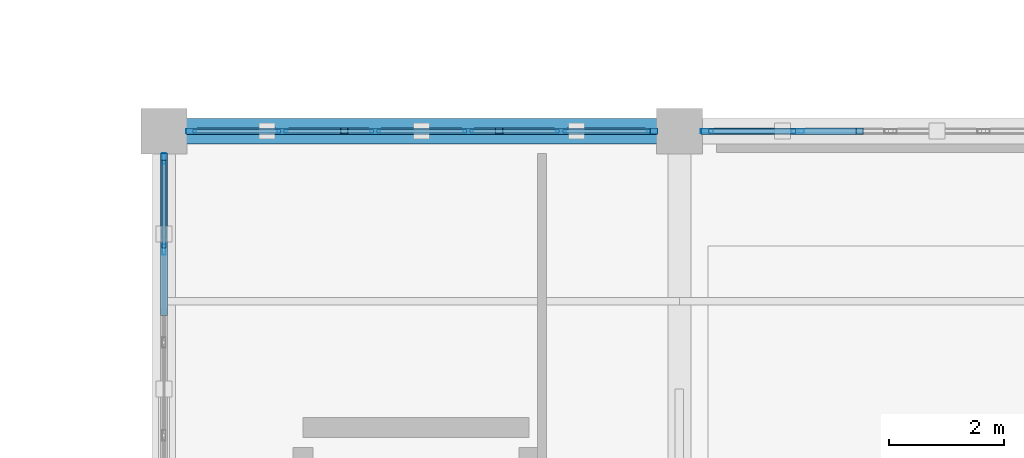
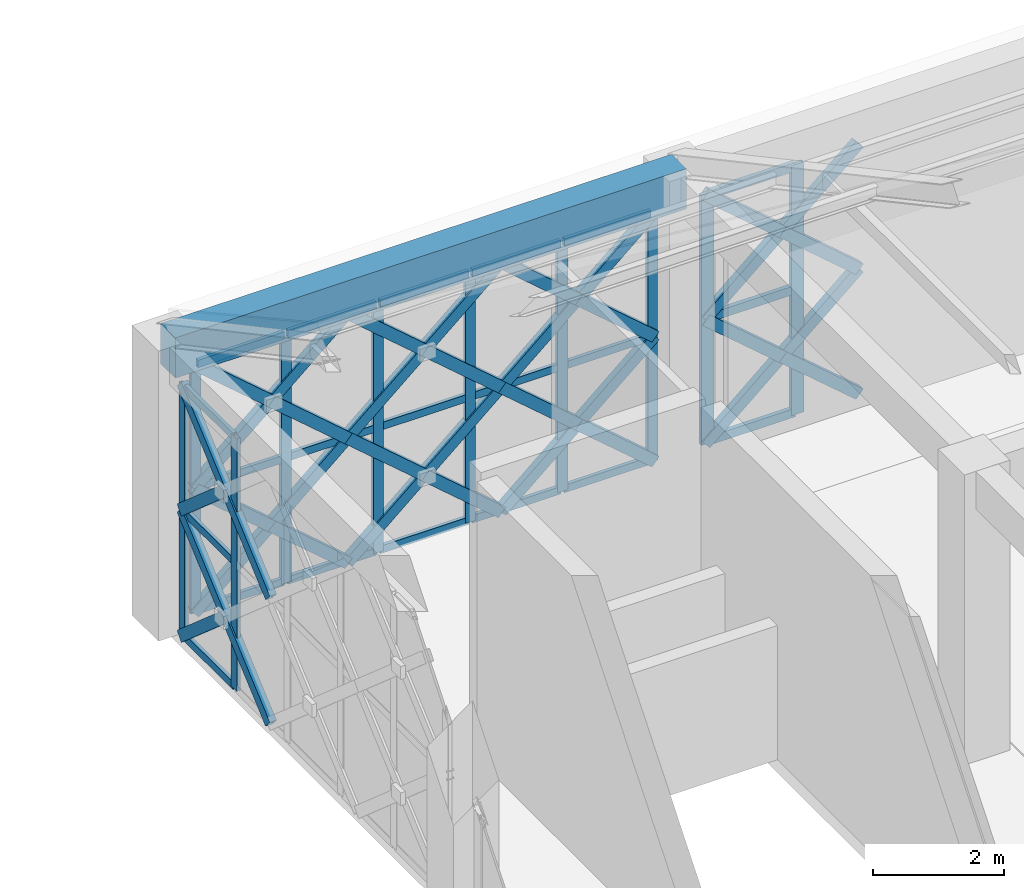
# One storey, part 28 of 86: 59 members, 1 beam, 3 elements without a shape of their own.
"""IFC4 building model written with IfcOpenShell, lengths in metres."""

from ifc_helpers import new_model, si_unit, direction, frame, origin, origin_2d, place, context, subcontext, project, spatial, rectangle, hollow_rectangle, extrude, material, material_profile, profile_set, type_object, element, aggregate, save


model = new_model("IFC4")

# Units and contexts
model_context = context("Model", 3, precision=1e-05, world=origin(), true_north=direction((0.0, 1.0)))
body_context = subcontext(model_context, "Body", "Model", "MODEL_VIEW")
ifc_project = project(units=[si_unit("LENGTHUNIT", "METRE"), si_unit("AREAUNIT", "SQUARE_METRE"), si_unit("VOLUMEUNIT", "CUBIC_METRE"), si_unit("PLANEANGLEUNIT", "RADIAN"), si_unit("MASSUNIT", "GRAM", prefix="KILO")], contexts=[model_context])

# Site, building, storey
site_placement = place(None, origin())
site = spatial("IfcSite", under=ifc_project, at=site_placement, CompositionType="ELEMENT")
building_placement = place(site_placement, origin())
building = spatial("IfcBuilding", under=site, at=building_placement, Name="Haizhuo Lancet Aquarium", CompositionType="ELEMENT")
storey_placement = place(building_placement, frame((0.0, 0.0, 16.199951171875)))
storey = spatial("IfcBuildingStorey", under=building, at=storey_placement, Name="L03", CompositionType="ELEMENT", Elevation=16.199951171875)

# Beam
ifc_material_1 = material(Name="Concrete C40/50", Category="concrete")
ifc_material_profile_1 = material_profile(ifc_material_1, rectangle(XDim=0.449951171875, YDim=0.75, at=origin_2d()), Name="RC-BM 450x750")
ifc_profile_set_1 = profile_set([ifc_material_profile_1], Name="Concrete C40/50")
beam_type = type_object("IfcBeamType", Name="BM-RC-450x750", PredefinedType="BEAM", material=ifc_profile_set_1)
beam_placement = place(storey_placement, frame((27.0, -9.0, 5.025146484375), z_axis=(1.0, 0.0, 0.0), x_axis=(0.0, 1.0, 0.0)))
element("IfcBeam", 1, at=beam_placement, inside=storey, type_object=beam_type, Name="L03 V3 primary girder BM-L03-V3-006", PredefinedType="BEAM", context=body_context, shape_type="SweptSolid", body=[
    extrude(rectangle(XDim=0.449951171875, YDim=0.75, at=origin_2d()), origin(), (0.0, 0.0, 1.0), 9.0),
])

# Curtain wall, members
ifc_material_2 = material(Name="Aluminium 6063-T6", Category="aluminium")
curtain_wall_type_1 = type_object("IfcCurtainWallType", Name="CWO-8110x4650", PredefinedType="NOTDEFINED", material=ifc_material_2)
curtain_wall_1_placement = place(storey_placement, origin())
curtain_wall_1 = element("IfcCurtainWall", 2, at=curtain_wall_1_placement, inside=storey, type_object=curtain_wall_type_1, Name="L03 curtain wall CW-V3-L03-067", PredefinedType="NOTDEFINED")
ifc_material_profile_2 = material_profile(ifc_material_2, hollow_rectangle(XDim=0.06494140625, YDim=0.179931640625, WallThickness=0.00390625, at=origin_2d()), Name="ALU-M 65x180x4")
ifc_profile_set_2 = profile_set([ifc_material_profile_2], Name="Aluminium 6063-T6")
member_type_1 = type_object("IfcMemberType", Name="CW-MUL-1", PredefinedType="MULLION", material=ifc_profile_set_2)
member_1_placement = place(storey_placement, frame((27.47705078125, -9.0, 0.0), z_axis=(0.0, 0.0, 1.0), x_axis=(0.0, 1.0, 0.0)))
member_1 = element("IfcMember", 3, at=member_1_placement, type_object=member_type_1, Name="CWO-81x46 mullion 1", PredefinedType="MULLION", context=body_context, shape_type="SweptSolid", body=[
    extrude(hollow_rectangle(XDim=0.06494140625, YDim=0.179931640625, WallThickness=0.00390625, at=origin_2d()), origin(), (0.0, 0.0, 1.0), 4.650146484375),
])
member_2_placement = place(storey_placement, frame((29.06689453125, -9.0, 0.0), z_axis=(0.0, 0.0, 1.0), x_axis=(0.0, 1.0, 0.0)))
member_2 = element("IfcMember", 4, at=member_2_placement, type_object=member_type_1, Name="CWO-81x46 mullion 2", PredefinedType="MULLION", context=body_context, shape_type="SweptSolid", body=[
    extrude(hollow_rectangle(XDim=0.06494140625, YDim=0.179931640625, WallThickness=0.00390625, at=origin_2d()), origin(), (0.0, 0.0, 1.0), 4.650146484375),
])
member_3_placement = place(storey_placement, frame((30.68896484375, -9.0, 0.0), z_axis=(0.0, 0.0, 1.0), x_axis=(0.0, 1.0, 0.0)))
member_3 = element("IfcMember", 5, at=member_3_placement, type_object=member_type_1, Name="CWO-81x46 mullion 3", PredefinedType="MULLION", context=body_context, shape_type="SweptSolid", body=[
    extrude(hollow_rectangle(XDim=0.06494140625, YDim=0.179931640625, WallThickness=0.00390625, at=origin_2d()), origin(), (0.0, 0.0, 1.0), 4.650146484375),
])
member_4_placement = place(storey_placement, frame((32.31103515625, -9.0, 0.0), z_axis=(0.0, 0.0, 1.0), x_axis=(0.0, 1.0, 0.0)))
member_4 = element("IfcMember", 6, at=member_4_placement, type_object=member_type_1, Name="CWO-81x46 mullion 4", PredefinedType="MULLION", context=body_context, shape_type="SweptSolid", body=[
    extrude(hollow_rectangle(XDim=0.06494140625, YDim=0.179931640625, WallThickness=0.00390625, at=origin_2d()), origin(), (0.0, 0.0, 1.0), 4.650146484375),
])
member_5_placement = place(storey_placement, frame((33.93310546875, -9.0, 0.0), z_axis=(0.0, 0.0, 1.0), x_axis=(0.0, 1.0, 0.0)))
member_5 = element("IfcMember", 7, at=member_5_placement, type_object=member_type_1, Name="CWO-81x46 mullion 5", PredefinedType="MULLION", context=body_context, shape_type="SweptSolid", body=[
    extrude(hollow_rectangle(XDim=0.06494140625, YDim=0.179931640625, WallThickness=0.00390625, at=origin_2d()), origin(), (0.0, 0.0, 1.0), 4.650146484375),
])
member_6_placement = place(storey_placement, frame((35.52294921875, -9.0, 0.0), z_axis=(0.0, 0.0, 1.0), x_axis=(0.0, 1.0, 0.0)))
member_6 = element("IfcMember", 8, at=member_6_placement, type_object=member_type_1, Name="CWO-81x46 mullion 6", PredefinedType="MULLION", context=body_context, shape_type="SweptSolid", body=[
    extrude(hollow_rectangle(XDim=0.06494140625, YDim=0.179931640625, WallThickness=0.00390625, at=origin_2d()), origin(), (0.0, 0.0, 1.0), 4.650146484375),
])

curtain_wall_type_2 = type_object("IfcCurtainWallType", Name="CWO-8110x4700", PredefinedType="NOTDEFINED", material=ifc_material_2)
curtain_wall_2_placement = place(storey_placement, origin())
curtain_wall_2 = element("IfcCurtainWall", 9, at=curtain_wall_2_placement, inside=storey, type_object=curtain_wall_type_2, Name="L03 curtain wall CW-V3-L03-082", PredefinedType="NOTDEFINED")
member_7_placement = place(storey_placement, frame((27.0, -11.06689453125, 0.0), z_axis=(0.0, 0.0, 1.0), x_axis=(-1.0, 0.0, 0.0)))
member_7 = element("IfcMember", 10, at=member_7_placement, type_object=member_type_1, Name="CWO-81x47 mullion 5", PredefinedType="MULLION", context=body_context, shape_type="SweptSolid", body=[
    extrude(hollow_rectangle(XDim=0.06494140625, YDim=0.179931640625, WallThickness=0.00390625, at=origin_2d()), origin(), (0.0, 0.0, 1.0), 4.699951171875),
])
member_8_placement = place(storey_placement, frame((27.0, -9.47802734375, 0.0), z_axis=(0.0, 0.0, 1.0), x_axis=(-1.0, 0.0, 0.0)))
member_8 = element("IfcMember", 11, at=member_8_placement, type_object=member_type_1, Name="CWO-81x47 mullion 6", PredefinedType="MULLION", context=body_context, shape_type="SweptSolid", body=[
    extrude(hollow_rectangle(XDim=0.06494140625, YDim=0.179931640625, WallThickness=0.00390625, at=origin_2d()), origin(), (0.0, 0.0, 1.0), 4.699951171875),
])

curtain_wall_3_placement = place(storey_placement, origin())
curtain_wall_3 = element("IfcCurtainWall", 12, at=curtain_wall_3_placement, inside=storey, type_object=curtain_wall_type_1, Name="L03 curtain wall CW-V3-L03-068", PredefinedType="NOTDEFINED")
ifc_material_profile_3 = material_profile(ifc_material_2, hollow_rectangle(XDim=0.074951171875, YDim=0.219970703125, WallThickness=0.0048828125, at=origin_2d()), Name="ALU-M 75x220x5")
ifc_profile_set_3 = profile_set([ifc_material_profile_3], Name="Aluminium 6063-T6")
member_type_2 = type_object("IfcMemberType", Name="CW-MUL-2", PredefinedType="MULLION", material=ifc_profile_set_3)
member_9_placement = place(storey_placement, frame((36.48291015625, -9.0, 0.0), z_axis=(0.0, 0.0, 1.0), x_axis=(0.0, 1.0, 0.0)))
member_9 = element("IfcMember", 13, at=member_9_placement, type_object=member_type_2, Name="CWO-81x46 mullion 1", PredefinedType="MULLION", context=body_context, shape_type="SweptSolid", body=[
    extrude(hollow_rectangle(XDim=0.074951171875, YDim=0.219970703125, WallThickness=0.0048828125, at=origin_2d()), origin(), (0.0, 0.0, 1.0), 4.650146484375),
])
member_10_placement = place(storey_placement, frame((38.06689453125, -9.0, 0.0), z_axis=(0.0, 0.0, 1.0), x_axis=(0.0, 1.0, 0.0)))
member_10 = element("IfcMember", 14, at=member_10_placement, type_object=member_type_2, Name="CWO-81x46 mullion 2", PredefinedType="MULLION", context=body_context, shape_type="SweptSolid", body=[
    extrude(hollow_rectangle(XDim=0.074951171875, YDim=0.219970703125, WallThickness=0.0048828125, at=origin_2d()), origin(), (0.0, 0.0, 1.0), 4.650146484375),
])

# Member
ifc_material_profile_4 = material_profile(ifc_material_2, hollow_rectangle(XDim=0.06494140625, YDim=0.139892578125, WallThickness=0.00390625, at=origin_2d()), Name="ALU-T 65x140x4")
ifc_profile_set_4 = profile_set([ifc_material_profile_4], Name="Aluminium 6063-T6")
member_type_3 = type_object("IfcMemberType", Name="CW-TRN-1", PredefinedType="NOTDEFINED", material=ifc_profile_set_4)
member_11_placement = place(storey_placement, frame((27.510009765625, -9.0, 0.031982421875), z_axis=(1.0, 0.0, 0.0), x_axis=(0.0, 1.0, 0.0)))
member_11 = element("IfcMember", 15, at=member_11_placement, type_object=member_type_3, Name="CWO-81x46 transom 1.1", ObjectType="TRANSOM", PredefinedType="USERDEFINED", context=body_context, shape_type="SweptSolid", body=[
    extrude(hollow_rectangle(XDim=0.06494140625, YDim=0.139892578125, WallThickness=0.00390625, at=origin_2d()), origin(), (0.0, 0.0, 1.0), 1.52490234375),
])

member_12_placement = place(storey_placement, frame((27.510009765625, -9.0, 2.324951171875), z_axis=(1.0, 0.0, 0.0), x_axis=(0.0, 1.0, 0.0)))
member_12 = element("IfcMember", 16, at=member_12_placement, type_object=member_type_3, Name="CWO-81x46 transom 1.2", ObjectType="TRANSOM", PredefinedType="USERDEFINED", context=body_context, shape_type="SweptSolid", body=[
    extrude(hollow_rectangle(XDim=0.06494140625, YDim=0.139892578125, WallThickness=0.00390625, at=origin_2d()), origin(), (0.0, 0.0, 1.0), 1.52490234375),
])

member_13_placement = place(storey_placement, frame((27.510009765625, -9.0, 4.6181640625), z_axis=(1.0, 0.0, 0.0), x_axis=(0.0, 1.0, 0.0)))
member_13 = element("IfcMember", 17, at=member_13_placement, type_object=member_type_3, Name="CWO-81x46 transom 1.3", ObjectType="TRANSOM", PredefinedType="USERDEFINED", context=body_context, shape_type="SweptSolid", body=[
    extrude(hollow_rectangle(XDim=0.06494140625, YDim=0.139892578125, WallThickness=0.00390625, at=origin_2d()), origin(), (0.0, 0.0, 1.0), 1.52490234375),
])

member_14_placement = place(storey_placement, frame((29.09912109375, -9.0, 0.031982421875), z_axis=(1.0, 0.0, 0.0), x_axis=(0.0, 1.0, 0.0)))
member_14 = element("IfcMember", 18, at=member_14_placement, type_object=member_type_3, Name="CWO-81x46 transom 2.1", ObjectType="TRANSOM", PredefinedType="USERDEFINED", context=body_context, shape_type="SweptSolid", body=[
    extrude(hollow_rectangle(XDim=0.06494140625, YDim=0.139892578125, WallThickness=0.00390625, at=origin_2d()), origin(), (0.0, 0.0, 1.0), 1.557861328125),
])

member_15_placement = place(storey_placement, frame((29.09912109375, -9.0, 2.324951171875), z_axis=(1.0, 0.0, 0.0), x_axis=(0.0, 1.0, 0.0)))
member_15 = element("IfcMember", 19, at=member_15_placement, type_object=member_type_3, Name="CWO-81x46 transom 2.2", ObjectType="TRANSOM", PredefinedType="USERDEFINED", context=body_context, shape_type="SweptSolid", body=[
    extrude(hollow_rectangle(XDim=0.06494140625, YDim=0.139892578125, WallThickness=0.00390625, at=origin_2d()), origin(), (0.0, 0.0, 1.0), 1.557861328125),
])

member_16_placement = place(storey_placement, frame((29.09912109375, -9.0, 4.6181640625), z_axis=(1.0, 0.0, 0.0), x_axis=(0.0, 1.0, 0.0)))
member_16 = element("IfcMember", 20, at=member_16_placement, type_object=member_type_3, Name="CWO-81x46 transom 2.3", ObjectType="TRANSOM", PredefinedType="USERDEFINED", context=body_context, shape_type="SweptSolid", body=[
    extrude(hollow_rectangle(XDim=0.06494140625, YDim=0.139892578125, WallThickness=0.00390625, at=origin_2d()), origin(), (0.0, 0.0, 1.0), 1.557861328125),
])

member_17_placement = place(storey_placement, frame((30.720947265625, -9.0, 0.031982421875), z_axis=(1.0, 0.0, 0.0), x_axis=(0.0, 1.0, 0.0)))
member_17 = element("IfcMember", 21, at=member_17_placement, type_object=member_type_3, Name="CWO-81x46 transom 3.1", ObjectType="TRANSOM", PredefinedType="USERDEFINED", context=body_context, shape_type="SweptSolid", body=[
    extrude(hollow_rectangle(XDim=0.06494140625, YDim=0.139892578125, WallThickness=0.00390625, at=origin_2d()), origin(), (0.0, 0.0, 1.0), 1.55810546875),
])

member_18_placement = place(storey_placement, frame((30.720947265625, -9.0, 2.324951171875), z_axis=(1.0, 0.0, 0.0), x_axis=(0.0, 1.0, 0.0)))
member_18 = element("IfcMember", 22, at=member_18_placement, type_object=member_type_3, Name="CWO-81x46 transom 3.2", ObjectType="TRANSOM", PredefinedType="USERDEFINED", context=body_context, shape_type="SweptSolid", body=[
    extrude(hollow_rectangle(XDim=0.06494140625, YDim=0.139892578125, WallThickness=0.00390625, at=origin_2d()), origin(), (0.0, 0.0, 1.0), 1.55810546875),
])

member_19_placement = place(storey_placement, frame((30.720947265625, -9.0, 4.6181640625), z_axis=(1.0, 0.0, 0.0), x_axis=(0.0, 1.0, 0.0)))
member_19 = element("IfcMember", 23, at=member_19_placement, type_object=member_type_3, Name="CWO-81x46 transom 3.3", ObjectType="TRANSOM", PredefinedType="USERDEFINED", context=body_context, shape_type="SweptSolid", body=[
    extrude(hollow_rectangle(XDim=0.06494140625, YDim=0.139892578125, WallThickness=0.00390625, at=origin_2d()), origin(), (0.0, 0.0, 1.0), 1.55810546875),
])

member_20_placement = place(storey_placement, frame((32.343017578125, -9.0, 0.031982421875), z_axis=(1.0, 0.0, 0.0), x_axis=(0.0, 1.0, 0.0)))
member_20 = element("IfcMember", 24, at=member_20_placement, type_object=member_type_3, Name="CWO-81x46 transom 4.1", ObjectType="TRANSOM", PredefinedType="USERDEFINED", context=body_context, shape_type="SweptSolid", body=[
    extrude(hollow_rectangle(XDim=0.06494140625, YDim=0.139892578125, WallThickness=0.00390625, at=origin_2d()), origin(), (0.0, 0.0, 1.0), 1.557861328125),
])

member_21_placement = place(storey_placement, frame((32.343017578125, -9.0, 2.324951171875), z_axis=(1.0, 0.0, 0.0), x_axis=(0.0, 1.0, 0.0)))
member_21 = element("IfcMember", 25, at=member_21_placement, type_object=member_type_3, Name="CWO-81x46 transom 4.2", ObjectType="TRANSOM", PredefinedType="USERDEFINED", context=body_context, shape_type="SweptSolid", body=[
    extrude(hollow_rectangle(XDim=0.06494140625, YDim=0.139892578125, WallThickness=0.00390625, at=origin_2d()), origin(), (0.0, 0.0, 1.0), 1.557861328125),
])

member_22_placement = place(storey_placement, frame((32.343017578125, -9.0, 4.6181640625), z_axis=(1.0, 0.0, 0.0), x_axis=(0.0, 1.0, 0.0)))
member_22 = element("IfcMember", 26, at=member_22_placement, type_object=member_type_3, Name="CWO-81x46 transom 4.3", ObjectType="TRANSOM", PredefinedType="USERDEFINED", context=body_context, shape_type="SweptSolid", body=[
    extrude(hollow_rectangle(XDim=0.06494140625, YDim=0.139892578125, WallThickness=0.00390625, at=origin_2d()), origin(), (0.0, 0.0, 1.0), 1.557861328125),
])

member_23_placement = place(storey_placement, frame((33.965087890625, -9.0, 0.031982421875), z_axis=(1.0, 0.0, 0.0), x_axis=(0.0, 1.0, 0.0)))
member_23 = element("IfcMember", 27, at=member_23_placement, type_object=member_type_3, Name="CWO-81x46 transom 5.1", ObjectType="TRANSOM", PredefinedType="USERDEFINED", context=body_context, shape_type="SweptSolid", body=[
    extrude(hollow_rectangle(XDim=0.06494140625, YDim=0.139892578125, WallThickness=0.00390625, at=origin_2d()), origin(), (0.0, 0.0, 1.0), 1.52490234375),
])

member_24_placement = place(storey_placement, frame((33.965087890625, -9.0, 2.324951171875), z_axis=(1.0, 0.0, 0.0), x_axis=(0.0, 1.0, 0.0)))
member_24 = element("IfcMember", 28, at=member_24_placement, type_object=member_type_3, Name="CWO-81x46 transom 5.2", ObjectType="TRANSOM", PredefinedType="USERDEFINED", context=body_context, shape_type="SweptSolid", body=[
    extrude(hollow_rectangle(XDim=0.06494140625, YDim=0.139892578125, WallThickness=0.00390625, at=origin_2d()), origin(), (0.0, 0.0, 1.0), 1.52490234375),
])

member_25_placement = place(storey_placement, frame((33.965087890625, -9.0, 4.6181640625), z_axis=(1.0, 0.0, 0.0), x_axis=(0.0, 1.0, 0.0)))
member_25 = element("IfcMember", 29, at=member_25_placement, type_object=member_type_3, Name="CWO-81x46 transom 5.3", ObjectType="TRANSOM", PredefinedType="USERDEFINED", context=body_context, shape_type="SweptSolid", body=[
    extrude(hollow_rectangle(XDim=0.06494140625, YDim=0.139892578125, WallThickness=0.00390625, at=origin_2d()), origin(), (0.0, 0.0, 1.0), 1.52490234375),
])

aggregate(curtain_wall_1, [member_1, member_2, member_3, member_4, member_5, member_6, member_11, member_12, member_13, member_14, member_15, member_16, member_17, member_18, member_19, member_20, member_21, member_22, member_23, member_24, member_25])

member_26_placement = place(storey_placement, frame((27.0, -11.034912109375, 0.031982421875), z_axis=(0.0, 1.0, 0.0), x_axis=(-1.0, 0.0, 0.0)))
member_26 = element("IfcMember", 30, at=member_26_placement, type_object=member_type_3, Name="CWO-81x47 transom 5.1", ObjectType="TRANSOM", PredefinedType="USERDEFINED", context=body_context, shape_type="SweptSolid", body=[
    extrude(hollow_rectangle(XDim=0.06494140625, YDim=0.139892578125, WallThickness=0.00390625, at=origin_2d()), origin(), (0.0, 0.0, 1.0), 1.52490234375),
])

member_27_placement = place(storey_placement, frame((27.0, -11.034912109375, 2.35009765625), z_axis=(0.0, 1.0, 0.0), x_axis=(-1.0, 0.0, 0.0)))
member_27 = element("IfcMember", 31, at=member_27_placement, type_object=member_type_3, Name="CWO-81x47 transom 5.2", ObjectType="TRANSOM", PredefinedType="USERDEFINED", context=body_context, shape_type="SweptSolid", body=[
    extrude(hollow_rectangle(XDim=0.06494140625, YDim=0.139892578125, WallThickness=0.00390625, at=origin_2d()), origin(), (0.0, 0.0, 1.0), 1.52490234375),
])

member_28_placement = place(storey_placement, frame((27.0, -11.034912109375, 4.6669921875), z_axis=(0.0, 1.0, 0.0), x_axis=(-1.0, 0.0, 0.0)))
member_28 = element("IfcMember", 32, at=member_28_placement, type_object=member_type_3, Name="CWO-81x47 transom 5.3", ObjectType="TRANSOM", PredefinedType="USERDEFINED", context=body_context, shape_type="SweptSolid", body=[
    extrude(hollow_rectangle(XDim=0.06494140625, YDim=0.139892578125, WallThickness=0.00390625, at=origin_2d()), origin(), (0.0, 0.0, 1.0), 1.52490234375),
])

aggregate(curtain_wall_2, [member_7, member_8, member_26, member_27, member_28])

ifc_material_profile_5 = material_profile(ifc_material_2, hollow_rectangle(XDim=0.074951171875, YDim=0.159912109375, WallThickness=0.00390625, at=origin_2d()), Name="ALU-T 75x160x4")
ifc_profile_set_5 = profile_set([ifc_material_profile_5], Name="Aluminium 6063-T6")
member_type_4 = type_object("IfcMemberType", Name="CW-TRN-2", PredefinedType="NOTDEFINED", material=ifc_profile_set_5)
member_29_placement = place(storey_placement, frame((36.52001953125, -9.0, 0.0380859375), z_axis=(1.0, 0.0, 0.0), x_axis=(0.0, 1.0, 0.0)))
member_29 = element("IfcMember", 33, at=member_29_placement, type_object=member_type_4, Name="CWO-81x46 transom 1.1", ObjectType="TRANSOM", PredefinedType="USERDEFINED", context=body_context, shape_type="SweptSolid", body=[
    extrude(hollow_rectangle(XDim=0.074951171875, YDim=0.159912109375, WallThickness=0.00390625, at=origin_2d()), origin(), (0.0, 0.0, 1.0), 1.509033203125),
])

member_30_placement = place(storey_placement, frame((36.52001953125, -9.0, 2.324951171875), z_axis=(1.0, 0.0, 0.0), x_axis=(0.0, 1.0, 0.0)))
member_30 = element("IfcMember", 34, at=member_30_placement, type_object=member_type_4, Name="CWO-81x46 transom 1.2", ObjectType="TRANSOM", PredefinedType="USERDEFINED", context=body_context, shape_type="SweptSolid", body=[
    extrude(hollow_rectangle(XDim=0.074951171875, YDim=0.159912109375, WallThickness=0.00390625, at=origin_2d()), origin(), (0.0, 0.0, 1.0), 1.509033203125),
])

member_31_placement = place(storey_placement, frame((36.52001953125, -9.0, 4.612060546875), z_axis=(1.0, 0.0, 0.0), x_axis=(0.0, 1.0, 0.0)))
member_31 = element("IfcMember", 35, at=member_31_placement, type_object=member_type_4, Name="CWO-81x46 transom 1.3", ObjectType="TRANSOM", PredefinedType="USERDEFINED", context=body_context, shape_type="SweptSolid", body=[
    extrude(hollow_rectangle(XDim=0.074951171875, YDim=0.159912109375, WallThickness=0.00390625, at=origin_2d()), origin(), (0.0, 0.0, 1.0), 1.509033203125),
])

aggregate(curtain_wall_3, [member_9, member_10, member_29, member_30, member_31])

# Members
ifc_material_3 = material(Name="Steel S355", Category="steel")
ifc_material_profile_6 = material_profile(ifc_material_3, hollow_rectangle(XDim=0.1201171875, YDim=0.199951171875, WallThickness=0.008056640625, at=origin_2d()), Name="RHS 120x200x8")
ifc_profile_set_6 = profile_set([ifc_material_profile_6], Name="Steel S355")
member_type_5 = type_object("IfcMemberType", Name="MEM-LB-RHS120x200", PredefinedType="BRACE", material=ifc_profile_set_6)
member_32_placement = place(storey_placement, frame((27.445068359375, -9.0, 0.0), z_axis=(0.758119517235, 0.0, 0.652115632068), x_axis=(0.0, 1.0, 0.0)))
element("IfcMember", 36, at=member_32_placement, inside=storey, type_object=member_type_5, Name="Gothic lancet continuous diagonal brace CW-V3-L03-067 1A", PredefinedType="BRACE", context=body_context, shape_type="SweptSolid", body=[
    extrude(hollow_rectangle(XDim=0.1201171875, YDim=0.199951171875, WallThickness=0.008056640625, at=origin_2d()), origin(), (0.0, 0.0, 1.0), 3.565185546875),
])
member_33_placement = place(storey_placement, frame((30.14794921875, -9.0, 0.0), z_axis=(-0.758075457988, 0.0, 0.652166849814), x_axis=(0.0, -1.0, 0.0)))
element("IfcMember", 37, at=member_33_placement, inside=storey, type_object=member_type_5, Name="Gothic lancet split diagonal brace CW-V3-L03-067 1B1", PredefinedType="BRACE", context=body_context, shape_type="SweptSolid", body=[
    extrude(hollow_rectangle(XDim=0.1201171875, YDim=0.199951171875, WallThickness=0.008056640625, at=origin_2d()), origin(), (0.0, 0.0, 1.0), 1.781982421875),
])
member_34_placement = place(storey_placement, frame((28.797119140625, -9.0, 1.162109375), z_axis=(-0.758163538361, 0.0, 0.652064451646), x_axis=(0.0, -1.0, 0.0)))
element("IfcMember", 38, at=member_34_placement, inside=storey, type_object=member_type_5, Name="Gothic lancet split diagonal brace CW-V3-L03-067 1B2", PredefinedType="BRACE", context=body_context, shape_type="SweptSolid", body=[
    extrude(hollow_rectangle(XDim=0.1201171875, YDim=0.199951171875, WallThickness=0.008056640625, at=origin_2d()), origin(), (0.0, 0.0, 1.0), 1.783203125),
])
member_35_placement = place(storey_placement, frame((27.445068359375, -9.0, 2.324951171875), z_axis=(0.758085663481, 0.0, 0.652154986812), x_axis=(0.0, 1.0, 0.0)))
element("IfcMember", 39, at=member_35_placement, inside=storey, type_object=member_type_5, Name="Gothic lancet continuous diagonal brace CW-V3-L03-067 2A", PredefinedType="BRACE", context=body_context, shape_type="SweptSolid", body=[
    extrude(hollow_rectangle(XDim=0.1201171875, YDim=0.199951171875, WallThickness=0.008056640625, at=origin_2d()), origin(), (0.0, 0.0, 1.0), 3.5654296875),
])
member_36_placement = place(storey_placement, frame((30.14794921875, -9.0, 2.324951171875), z_axis=(-0.757804543333, 0.0, 0.652481627407), x_axis=(0.0, -1.0, 0.0)))
element("IfcMember", 40, at=member_36_placement, inside=storey, type_object=member_type_5, Name="Gothic lancet split diagonal brace CW-V3-L03-067 2B1", PredefinedType="BRACE", context=body_context, shape_type="SweptSolid", body=[
    extrude(hollow_rectangle(XDim=0.1201171875, YDim=0.199951171875, WallThickness=0.008056640625, at=origin_2d()), origin(), (0.0, 0.0, 1.0), 1.782470703125),
])
member_37_placement = place(storey_placement, frame((28.797119140625, -9.0, 3.488037109375), z_axis=(-0.758366597375, 0.0, 0.651828277989), x_axis=(0.0, -1.0, 0.0)))
element("IfcMember", 41, at=member_37_placement, inside=storey, type_object=member_type_5, Name="Gothic lancet split diagonal brace CW-V3-L03-067 2B2", PredefinedType="BRACE", context=body_context, shape_type="SweptSolid", body=[
    extrude(hollow_rectangle(XDim=0.1201171875, YDim=0.199951171875, WallThickness=0.008056640625, at=origin_2d()), origin(), (0.0, 0.0, 1.0), 1.782958984375),
])
member_38_placement = place(storey_placement, frame((30.14794921875, -9.0, 0.0), z_axis=(0.758265063468, 0.0, 0.651946388535), x_axis=(0.0, 1.0, 0.0)))
element("IfcMember", 42, at=member_38_placement, inside=storey, type_object=member_type_5, Name="Gothic lancet continuous diagonal brace CW-V3-L03-067 3A", PredefinedType="BRACE", context=body_context, shape_type="SweptSolid", body=[
    extrude(hollow_rectangle(XDim=0.1201171875, YDim=0.199951171875, WallThickness=0.008056640625, at=origin_2d()), origin(), (0.0, 0.0, 1.0), 3.566162109375),
])
member_39_placement = place(storey_placement, frame((32.85205078125, -9.0, 0.0), z_axis=(-0.758366597375, 0.0, 0.651828277989), x_axis=(0.0, -1.0, 0.0)))
element("IfcMember", 43, at=member_39_placement, inside=storey, type_object=member_type_5, Name="Gothic lancet split diagonal brace CW-V3-L03-067 3B1", PredefinedType="BRACE", context=body_context, shape_type="SweptSolid", body=[
    extrude(hollow_rectangle(XDim=0.1201171875, YDim=0.199951171875, WallThickness=0.008056640625, at=origin_2d()), origin(), (0.0, 0.0, 1.0), 1.782958984375),
])
member_40_placement = place(storey_placement, frame((31.5, -9.0, 1.162109375), z_axis=(-0.758163538361, 0.0, 0.652064451646), x_axis=(0.0, -1.0, 0.0)))
element("IfcMember", 44, at=member_40_placement, inside=storey, type_object=member_type_5, Name="Gothic lancet split diagonal brace CW-V3-L03-067 3B2", PredefinedType="BRACE", context=body_context, shape_type="SweptSolid", body=[
    extrude(hollow_rectangle(XDim=0.1201171875, YDim=0.199951171875, WallThickness=0.008056640625, at=origin_2d()), origin(), (0.0, 0.0, 1.0), 1.783203125),
])
member_41_placement = place(storey_placement, frame((30.14794921875, -9.0, 2.324951171875), z_axis=(0.758231220788, 0.0, 0.651985748175), x_axis=(0.0, 1.0, 0.0)))
element("IfcMember", 45, at=member_41_placement, inside=storey, type_object=member_type_5, Name="Gothic lancet continuous diagonal brace CW-V3-L03-067 4A", PredefinedType="BRACE", context=body_context, shape_type="SweptSolid", body=[
    extrude(hollow_rectangle(XDim=0.1201171875, YDim=0.199951171875, WallThickness=0.008056640625, at=origin_2d()), origin(), (0.0, 0.0, 1.0), 3.56640625),
])
member_42_placement = place(storey_placement, frame((32.85205078125, -9.0, 2.324951171875), z_axis=(-0.75809585985, 0.0, 0.652143134042), x_axis=(0.0, -1.0, 0.0)))
element("IfcMember", 46, at=member_42_placement, inside=storey, type_object=member_type_5, Name="Gothic lancet split diagonal brace CW-V3-L03-067 4B1", PredefinedType="BRACE", context=body_context, shape_type="SweptSolid", body=[
    extrude(hollow_rectangle(XDim=0.1201171875, YDim=0.199951171875, WallThickness=0.008056640625, at=origin_2d()), origin(), (0.0, 0.0, 1.0), 1.783447265625),
])
member_43_placement = place(storey_placement, frame((31.5, -9.0, 3.488037109375), z_axis=(-0.758366597375, 0.0, 0.651828277989), x_axis=(0.0, -1.0, 0.0)))
element("IfcMember", 47, at=member_43_placement, inside=storey, type_object=member_type_5, Name="Gothic lancet split diagonal brace CW-V3-L03-067 4B2", PredefinedType="BRACE", context=body_context, shape_type="SweptSolid", body=[
    extrude(hollow_rectangle(XDim=0.1201171875, YDim=0.199951171875, WallThickness=0.008056640625, at=origin_2d()), origin(), (0.0, 0.0, 1.0), 1.782958984375),
])
member_44_placement = place(storey_placement, frame((32.85205078125, -9.0, 0.0), z_axis=(0.758119517235, 0.0, 0.652115632068), x_axis=(0.0, 1.0, 0.0)))
element("IfcMember", 48, at=member_44_placement, inside=storey, type_object=member_type_5, Name="Gothic lancet continuous diagonal brace CW-V3-L03-067 5A", PredefinedType="BRACE", context=body_context, shape_type="SweptSolid", body=[
    extrude(hollow_rectangle(XDim=0.1201171875, YDim=0.199951171875, WallThickness=0.008056640625, at=origin_2d()), origin(), (0.0, 0.0, 1.0), 3.565185546875),
])
member_45_placement = place(storey_placement, frame((35.554931640625, -9.0, 0.0), z_axis=(-0.758366597375, 0.0, 0.651828277989), x_axis=(0.0, -1.0, 0.0)))
element("IfcMember", 49, at=member_45_placement, inside=storey, type_object=member_type_5, Name="Gothic lancet split diagonal brace CW-V3-L03-067 5B1", PredefinedType="BRACE", context=body_context, shape_type="SweptSolid", body=[
    extrude(hollow_rectangle(XDim=0.1201171875, YDim=0.199951171875, WallThickness=0.008056640625, at=origin_2d()), origin(), (0.0, 0.0, 1.0), 1.782958984375),
])
member_46_placement = place(storey_placement, frame((34.202880859375, -9.0, 1.162109375), z_axis=(-0.757872266095, 0.0, 0.65240296465), x_axis=(0.0, -1.0, 0.0)))
element("IfcMember", 50, at=member_46_placement, inside=storey, type_object=member_type_5, Name="Gothic lancet split diagonal brace CW-V3-L03-067 5B2", PredefinedType="BRACE", context=body_context, shape_type="SweptSolid", body=[
    extrude(hollow_rectangle(XDim=0.1201171875, YDim=0.199951171875, WallThickness=0.008056640625, at=origin_2d()), origin(), (0.0, 0.0, 1.0), 1.782470703125),
])
member_47_placement = place(storey_placement, frame((32.85205078125, -9.0, 2.324951171875), z_axis=(0.758085663481, 0.0, 0.652154986812), x_axis=(0.0, 1.0, 0.0)))
element("IfcMember", 51, at=member_47_placement, inside=storey, type_object=member_type_5, Name="Gothic lancet continuous diagonal brace CW-V3-L03-067 6A", PredefinedType="BRACE", context=body_context, shape_type="SweptSolid", body=[
    extrude(hollow_rectangle(XDim=0.1201171875, YDim=0.199951171875, WallThickness=0.008056640625, at=origin_2d()), origin(), (0.0, 0.0, 1.0), 3.5654296875),
])
member_48_placement = place(storey_placement, frame((35.554931640625, -9.0, 2.324951171875), z_axis=(-0.75809585985, 0.0, 0.652143134042), x_axis=(0.0, -1.0, 0.0)))
element("IfcMember", 52, at=member_48_placement, inside=storey, type_object=member_type_5, Name="Gothic lancet split diagonal brace CW-V3-L03-067 6B1", PredefinedType="BRACE", context=body_context, shape_type="SweptSolid", body=[
    extrude(hollow_rectangle(XDim=0.1201171875, YDim=0.199951171875, WallThickness=0.008056640625, at=origin_2d()), origin(), (0.0, 0.0, 1.0), 1.783447265625),
])
member_49_placement = place(storey_placement, frame((34.202880859375, -9.0, 3.488037109375), z_axis=(-0.758075457988, 0.0, 0.652166849814), x_axis=(0.0, -1.0, 0.0)))
element("IfcMember", 53, at=member_49_placement, inside=storey, type_object=member_type_5, Name="Gothic lancet split diagonal brace CW-V3-L03-067 6B2", PredefinedType="BRACE", context=body_context, shape_type="SweptSolid", body=[
    extrude(hollow_rectangle(XDim=0.1201171875, YDim=0.199951171875, WallThickness=0.008056640625, at=origin_2d()), origin(), (0.0, 0.0, 1.0), 1.781982421875),
])
member_50_placement = place(storey_placement, frame((36.445068359375, -9.0, 0.0), z_axis=(0.758119517235, 0.0, 0.652115632068), x_axis=(0.0, 1.0, 0.0)))
element("IfcMember", 54, at=member_50_placement, inside=storey, type_object=member_type_5, Name="Gothic lancet continuous diagonal brace CW-V3-L03-068 1A", PredefinedType="BRACE", context=body_context, shape_type="SweptSolid", body=[
    extrude(hollow_rectangle(XDim=0.1201171875, YDim=0.199951171875, WallThickness=0.008056640625, at=origin_2d()), origin(), (0.0, 0.0, 1.0), 3.565185546875),
])
member_51_placement = place(storey_placement, frame((39.14794921875, -9.0, 0.0), z_axis=(-0.758075457988, 0.0, 0.652166849814), x_axis=(0.0, -1.0, 0.0)))
element("IfcMember", 55, at=member_51_placement, inside=storey, type_object=member_type_5, Name="Gothic lancet split diagonal brace CW-V3-L03-068 1B1", PredefinedType="BRACE", context=body_context, shape_type="SweptSolid", body=[
    extrude(hollow_rectangle(XDim=0.1201171875, YDim=0.199951171875, WallThickness=0.008056640625, at=origin_2d()), origin(), (0.0, 0.0, 1.0), 1.781982421875),
])
member_52_placement = place(storey_placement, frame((37.797119140625, -9.0, 1.162109375), z_axis=(-0.758163538361, 0.0, 0.652064451646), x_axis=(0.0, -1.0, 0.0)))
element("IfcMember", 56, at=member_52_placement, inside=storey, type_object=member_type_5, Name="Gothic lancet split diagonal brace CW-V3-L03-068 1B2", PredefinedType="BRACE", context=body_context, shape_type="SweptSolid", body=[
    extrude(hollow_rectangle(XDim=0.1201171875, YDim=0.199951171875, WallThickness=0.008056640625, at=origin_2d()), origin(), (0.0, 0.0, 1.0), 1.783203125),
])
member_53_placement = place(storey_placement, frame((36.445068359375, -9.0, 2.324951171875), z_axis=(0.758085663481, 0.0, 0.652154986812), x_axis=(0.0, 1.0, 0.0)))
element("IfcMember", 57, at=member_53_placement, inside=storey, type_object=member_type_5, Name="Gothic lancet continuous diagonal brace CW-V3-L03-068 2A", PredefinedType="BRACE", context=body_context, shape_type="SweptSolid", body=[
    extrude(hollow_rectangle(XDim=0.1201171875, YDim=0.199951171875, WallThickness=0.008056640625, at=origin_2d()), origin(), (0.0, 0.0, 1.0), 3.5654296875),
])
member_54_placement = place(storey_placement, frame((39.14794921875, -9.0, 2.324951171875), z_axis=(-0.757804543333, 0.0, 0.652481627407), x_axis=(0.0, -1.0, 0.0)))
element("IfcMember", 58, at=member_54_placement, inside=storey, type_object=member_type_5, Name="Gothic lancet split diagonal brace CW-V3-L03-068 2B1", PredefinedType="BRACE", context=body_context, shape_type="SweptSolid", body=[
    extrude(hollow_rectangle(XDim=0.1201171875, YDim=0.199951171875, WallThickness=0.008056640625, at=origin_2d()), origin(), (0.0, 0.0, 1.0), 1.782470703125),
])
member_55_placement = place(storey_placement, frame((37.797119140625, -9.0, 3.488037109375), z_axis=(-0.758366597375, 0.0, 0.651828277989), x_axis=(0.0, -1.0, 0.0)))
element("IfcMember", 59, at=member_55_placement, inside=storey, type_object=member_type_5, Name="Gothic lancet split diagonal brace CW-V3-L03-068 2B2", PredefinedType="BRACE", context=body_context, shape_type="SweptSolid", body=[
    extrude(hollow_rectangle(XDim=0.1201171875, YDim=0.199951171875, WallThickness=0.008056640625, at=origin_2d()), origin(), (0.0, 0.0, 1.0), 1.782958984375),
])
member_56_placement = place(storey_placement, frame((27.0, -12.14794921875, 0.0), z_axis=(0.0, 0.754637805349, 0.656141587417), x_axis=(-1.0, 0.0, 0.0)))
element("IfcMember", 60, at=member_56_placement, inside=storey, type_object=member_type_5, Name="Gothic lancet continuous diagonal brace CW-V3-L03-082 5A", PredefinedType="BRACE", context=body_context, shape_type="SweptSolid", body=[
    extrude(hollow_rectangle(XDim=0.1201171875, YDim=0.199951171875, WallThickness=0.008056640625, at=origin_2d()), origin(), (0.0, 0.0, 1.0), 3.581787109375),
])
member_57_placement = place(storey_placement, frame((27.0, -9.445068359375, 0.0), z_axis=(0.0, -0.754491019428, 0.656310369873), x_axis=(1.0, 0.0, 0.0)))
element("IfcMember", 61, at=member_57_placement, inside=storey, type_object=member_type_5, Name="Gothic lancet split diagonal brace CW-V3-L03-082 5B1", PredefinedType="BRACE", context=body_context, shape_type="SweptSolid", body=[
    extrude(hollow_rectangle(XDim=0.1201171875, YDim=0.199951171875, WallThickness=0.008056640625, at=origin_2d()), origin(), (0.0, 0.0, 1.0), 1.790283203125),
])
member_58_placement = place(storey_placement, frame((27.0, -12.14794921875, 2.35009765625), z_axis=(0.0, 0.754671556952, 0.6561027672), x_axis=(-1.0, 0.0, 0.0)))
element("IfcMember", 62, at=member_58_placement, inside=storey, type_object=member_type_5, Name="Gothic lancet continuous diagonal brace CW-V3-L03-082 6A", PredefinedType="BRACE", context=body_context, shape_type="SweptSolid", body=[
    extrude(hollow_rectangle(XDim=0.1201171875, YDim=0.199951171875, WallThickness=0.008056640625, at=origin_2d()), origin(), (0.0, 0.0, 1.0), 3.58154296875),
])
member_59_placement = place(storey_placement, frame((27.0, -9.445068359375, 2.35009765625), z_axis=(0.0, -0.754491019428, 0.656310369873), x_axis=(1.0, 0.0, 0.0)))
element("IfcMember", 63, at=member_59_placement, inside=storey, type_object=member_type_5, Name="Gothic lancet split diagonal brace CW-V3-L03-082 6B1", PredefinedType="BRACE", context=body_context, shape_type="SweptSolid", body=[
    extrude(hollow_rectangle(XDim=0.1201171875, YDim=0.199951171875, WallThickness=0.008056640625, at=origin_2d()), origin(), (0.0, 0.0, 1.0), 1.790283203125),
])

save(model, "model.ifc")
